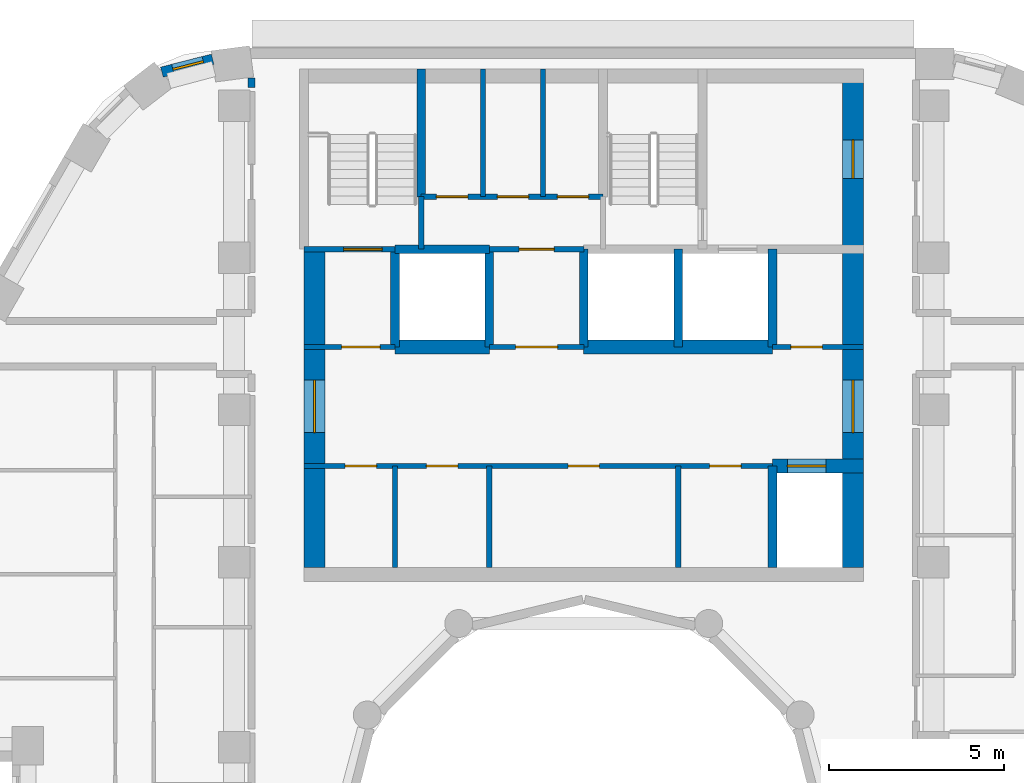
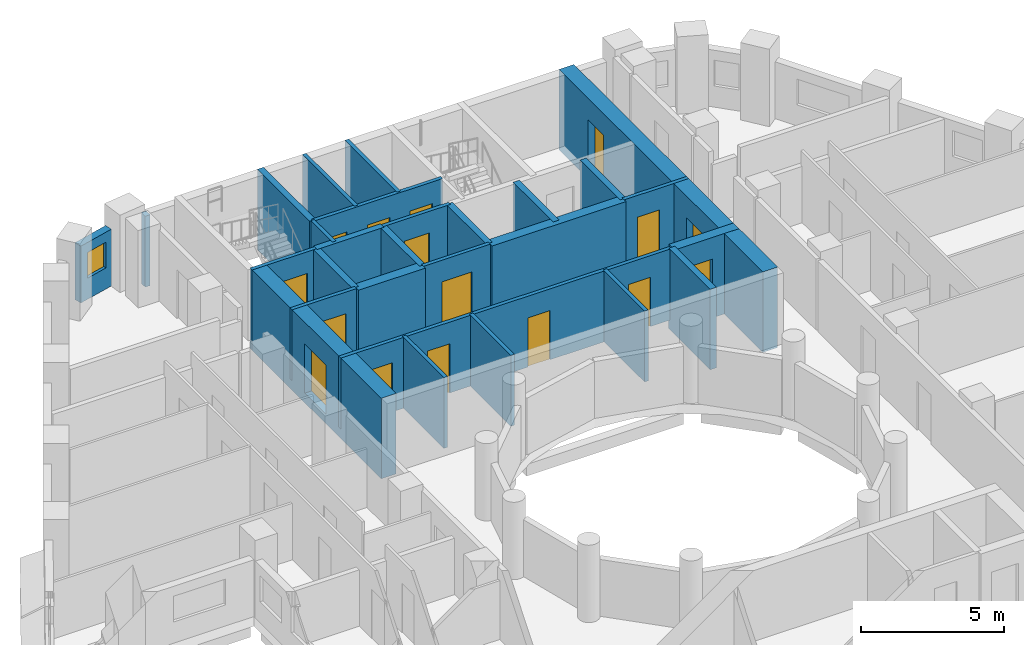
# One storey, part 7 of 16: 28 walls, 16 doors, 1 window, 17 openings.
"""IFC4 building model written with IfcOpenShell, lengths in metres."""

from ifc_helpers import new_model, si_unit, direction, frame, frame_2d, origin, place, context, subcontext, project, spatial, rectangle, extrude, material, layer, layer_set, type_object, element, fill, save


model = new_model("IFC4")

# Units and contexts
model_context = context("Model", 3, precision=1e-05, world=origin(), true_north=direction((0.0, 1.0)))
body_context = subcontext(model_context, "Body", "Model", "MODEL_VIEW")
ifc_project = project(units=[si_unit("LENGTHUNIT", "METRE"), si_unit("AREAUNIT", "SQUARE_METRE"), si_unit("VOLUMEUNIT", "CUBIC_METRE"), si_unit("PLANEANGLEUNIT", "RADIAN"), si_unit("MASSUNIT", "GRAM", prefix="KILO")], contexts=[model_context])

# Site, building, storey
site_placement = place(None, origin())
site = spatial("IfcSite", under=ifc_project, at=site_placement, CompositionType="ELEMENT")
building_placement = place(site_placement, origin())
building = spatial("IfcBuilding", under=site, at=building_placement, Name="Nakaniwa Court", CompositionType="ELEMENT")
storey_placement = place(building_placement, frame((0.0, 0.0, 226.199951171875)))
storey = spatial("IfcBuildingStorey", under=building, at=storey_placement, Name="L58", CompositionType="ELEMENT", Elevation=226.199951171875)

# Wall
ifc_material_1 = material(Name="Acoustic double stud partition")
ifc_layer_1 = layer(ifc_material_1, 0.199951171875)
ifc_layer_set_1 = layer_set([ifc_layer_1], Name="Acoustic double stud partition")
wall_type_1 = type_object("IfcWallType", Name="Acoustic double stud partition 200", PredefinedType="PARTITIONING", material=ifc_layer_set_1)
wall_1_placement = place(storey_placement, frame((70.5, 101.527099609375, 0.0), z_axis=(0.0, 0.0, 1.0), x_axis=(0.0, 1.0, 0.0)))
element("IfcWall", 1, at=wall_1_placement, inside=storey, type_object=wall_type_1, Name="Partition PW-097", PredefinedType="PARTITIONING", context=body_context, shape_type="SweptSolid", body=[
    extrude(rectangle(XDim=0.273681640625, YDim=0.199951171875, at=frame_2d((0.13671875, 0.0))), origin(), (0.0, 0.0, 1.0), 3.025146484375),
])

# Wall, opening, window
ifc_material_2 = material(Name="Charcoal ceramic cladding")
ifc_layer_2 = layer(ifc_material_2, 0.02, Name="Ceramic cladding")
ifc_material_3 = material(Name="Ventilated air cavity")
ifc_layer_3 = layer(ifc_material_3, 0.04, ventilated=True, Name="Ventilated cavity")
ifc_material_4 = material(Name="Mineral wool insulation")
ifc_layer_4 = layer(ifc_material_4, 0.1, Name="Insulation")
ifc_material_5 = material(Name="Cement bonded sheathing board")
ifc_layer_5 = layer(ifc_material_5, 0.012, Name="Sheathing")
ifc_material_6 = material(Name="Cold-formed galvanised stud frame with mineral wool infill")
ifc_layer_6 = layer(ifc_material_6, 0.1, Name="Stud frame")
ifc_material_7 = material(Name="Fire-rated gypsum plasterboard lining")
ifc_layer_7 = layer(ifc_material_7, 0.028, Name="Lining")
ifc_layer_set_2 = layer_set([ifc_layer_2, ifc_layer_3, ifc_layer_4, ifc_layer_5, ifc_layer_6, ifc_layer_7], Name="Charcoal ceramic faced external wall system")
wall_type_2 = type_object("IfcWallType", Name="Black ceramic faced external wall 300", PredefinedType="SOLIDWALL", material=ifc_layer_set_2)
wall_2_placement = place(storey_placement, frame((69.386474609375, 102.333251953125, 0.0), z_axis=(0.0, 0.0, 1.0), x_axis=(-0.968895303033, -0.247470991757, 0.0)))
wall_2 = element("IfcWall", 2, at=wall_2_placement, inside=storey, type_object=wall_type_2, Name="L58 external wall 09", PredefinedType="SOLIDWALL", context=body_context, shape_type="SweptSolid", body=[
    extrude(rectangle(XDim=1.50048828125, YDim=0.300048828125, at=frame_2d((0.750244140625, 0.0))), origin(), (0.0, 0.0, 1.0), 2.425048828125),
])
opening_1_placement = place(wall_2_placement, frame((0.27587890625, 0.0, 0.89990234375)))
opening_1 = element("IfcOpeningElement", 3, at=opening_1_placement, cuts=wall_2, Name="Opening W9.06", PredefinedType="OPENING", context=body_context, shape_type="SweptSolid", body=[
    extrude(rectangle(XDim=0.89990234375, YDim=1.10009765625, at=frame_2d((0.449951171875, 0.550048828125))), frame((0.0, 0.159912109375, 0.0), z_axis=(0.0, -1.0, 0.0), x_axis=(1.0, 0.0, 0.0)), (0.0, 0.0, 1.0), 0.320068359375),
])
ifc_material_8 = material(Name="Black anodised aluminium frame with dark low-E laminated double glazing", Category="aluminium")
window_type = type_object("IfcWindowType", Name="Dark glass window 900x1100 sill 900", PartitioningType="SINGLE_PANEL", PredefinedType="WINDOW", material=ifc_material_8)
window_placement = place(opening_1_placement, origin())
window = element("IfcWindow", 4, at=window_placement, inside=storey, type_object=window_type, Name="L58 habitable room window 09-0", OverallHeight=1.10009765625, OverallWidth=0.89990234375, PartitioningType="SINGLE_PANEL", PredefinedType="WINDOW", context=body_context, shape_type="SweptSolid", body=[
    extrude(rectangle(XDim=0.89990234375, YDim=1.10009765625, at=frame_2d((0.449951171875, 0.550048828125))), frame((0.0, 0.030029296875, 0.0), z_axis=(0.0, -1.0, 0.0), x_axis=(1.0, 0.0, 0.0)), (0.0, 0.0, 1.0), 0.06005859375),
])
fill(opening_1, window)

# Wall
ifc_material_9 = material(Name="Blockwork partition", Category="masonry")
ifc_layer_8 = layer(ifc_material_9, 0.14990234375)
ifc_layer_set_3 = layer_set([ifc_layer_8], Name="Blockwork partition")
wall_type_3 = type_object("IfcWallType", Name="Blockwork partition 150", PredefinedType="PARTITIONING", material=ifc_layer_set_3)
wall_3_placement = place(storey_placement, frame((74.60009765625, 87.800048828125, 0.0), z_axis=(0.0, 0.0, 1.0), x_axis=(0.0, 1.0, 0.0)))
element("IfcWall", 5, at=wall_3_placement, inside=storey, type_object=wall_type_3, Name="Partition PW-001", PredefinedType="PARTITIONING", context=body_context, shape_type="SweptSolid", body=[
    extrude(rectangle(XDim=2.89990234375, YDim=0.14990234375, at=frame_2d((1.449951171875, 0.0))), origin(), (0.0, 0.0, 1.0), 3.025146484375),
])

# Wall, openings, doors
wall_4_placement = place(storey_placement, frame((85.39990234375, 90.699951171875, 0.0), z_axis=(0.0, 0.0, 1.0), x_axis=(-1.0, 0.0, 0.0)))
wall_4 = element("IfcWall", 6, at=wall_4_placement, inside=storey, type_object=wall_type_3, Name="Partition PW-002", PredefinedType="PARTITIONING", context=body_context, shape_type="SweptSolid", body=[
    extrude(rectangle(XDim=13.39990234375, YDim=0.14990234375, at=frame_2d((6.699951171875, 0.0))), origin(), (0.0, 0.0, 1.0), 3.025146484375),
])
opening_2_placement = place(wall_4_placement, frame((11.324951171875, 0.0, 0.0)))
opening_2 = element("IfcOpeningElement", 7, at=opening_2_placement, cuts=wall_4, Name="Opening D-05-01", PredefinedType="OPENING", context=body_context, shape_type="SweptSolid", body=[
    extrude(rectangle(XDim=0.89990234375, YDim=2.10009765625, at=frame_2d((0.449951171875, 1.050048828125))), frame((0.0, 0.0849609375, 0.0), z_axis=(0.0, -1.0, 0.0), x_axis=(1.0, 0.0, 0.0)), (0.0, 0.0, 1.0), 0.169921875),
])
opening_3_placement = place(wall_4_placement, frame((9.0, 0.0, 0.0)))
opening_3 = element("IfcOpeningElement", 8, at=opening_3_placement, cuts=wall_4, Name="Opening D-05-02", PredefinedType="OPENING", context=body_context, shape_type="SweptSolid", body=[
    extrude(rectangle(XDim=0.89990234375, YDim=2.10009765625, at=frame_2d((0.449951171875, 1.050048828125))), frame((0.0, 0.0849609375, 0.0), z_axis=(0.0, -1.0, 0.0), x_axis=(1.0, 0.0, 0.0)), (0.0, 0.0, 1.0), 0.169921875),
])
opening_4_placement = place(wall_4_placement, frame((4.949951171875, 0.0, 0.0)))
opening_4 = element("IfcOpeningElement", 9, at=opening_4_placement, cuts=wall_4, Name="Opening D-05-03", PredefinedType="OPENING", context=body_context, shape_type="SweptSolid", body=[
    extrude(rectangle(XDim=0.89990234375, YDim=2.10009765625, at=frame_2d((0.449951171875, 1.050048828125))), frame((0.0, 0.0849609375, 0.0), z_axis=(0.0, -1.0, 0.0), x_axis=(1.0, 0.0, 0.0)), (0.0, 0.0, 1.0), 0.169921875),
])
opening_5_placement = place(wall_4_placement, frame((0.89990234375, 0.0, 0.0)))
opening_5 = element("IfcOpeningElement", 10, at=opening_5_placement, cuts=wall_4, Name="Opening D-05-04", PredefinedType="OPENING", context=body_context, shape_type="SweptSolid", body=[
    extrude(rectangle(XDim=0.89990234375, YDim=2.10009765625, at=frame_2d((0.449951171875, 1.050048828125))), frame((0.0, 0.0849609375, 0.0), z_axis=(0.0, -1.0, 0.0), x_axis=(1.0, 0.0, 0.0)), (0.0, 0.0, 1.0), 0.169921875),
])
ifc_material_10 = material(Name="Fire rated steel door set", Category="steel")
door_type_1 = type_object("IfcDoorType", Name="Service room door 900", OperationType="NOTDEFINED", PredefinedType="DOOR", material=ifc_material_10)
door_1_placement = place(opening_2_placement, origin())
door_1 = element("IfcDoor", 11, at=door_1_placement, inside=storey, type_object=door_type_1, Name="Door D-05-01 L58-001", OperationType="SINGLE_SWING_RIGHT", OverallHeight=2.10009765625, OverallWidth=0.89990234375, PredefinedType="DOOR", context=body_context, shape_type="SweptSolid", body=[
    extrude(rectangle(XDim=0.89990234375, YDim=2.10009765625, at=frame_2d((0.449951171875, 1.050048828125))), frame((0.0, 0.02490234375, 0.0), z_axis=(0.0, -1.0, 0.0), x_axis=(1.0, 0.0, 0.0)), (0.0, 0.0, 1.0), 0.050048828125),
])
fill(opening_2, door_1)
door_2_placement = place(opening_3_placement, origin())
door_2 = element("IfcDoor", 12, at=door_2_placement, inside=storey, type_object=door_type_1, Name="Door D-05-02 L58-002", OperationType="SINGLE_SWING_LEFT", OverallHeight=2.10009765625, OverallWidth=0.89990234375, PredefinedType="DOOR", context=body_context, shape_type="SweptSolid", body=[
    extrude(rectangle(XDim=0.89990234375, YDim=2.10009765625, at=frame_2d((0.449951171875, 1.050048828125))), frame((0.0, 0.02490234375, 0.0), z_axis=(0.0, -1.0, 0.0), x_axis=(1.0, 0.0, 0.0)), (0.0, 0.0, 1.0), 0.050048828125),
])
fill(opening_3, door_2)
door_3_placement = place(opening_4_placement, origin())
door_3 = element("IfcDoor", 13, at=door_3_placement, inside=storey, type_object=door_type_1, Name="Door D-05-03 L58-003", OperationType="SINGLE_SWING_RIGHT", OverallHeight=2.10009765625, OverallWidth=0.89990234375, PredefinedType="DOOR", context=body_context, shape_type="SweptSolid", body=[
    extrude(rectangle(XDim=0.89990234375, YDim=2.10009765625, at=frame_2d((0.449951171875, 1.050048828125))), frame((0.0, 0.02490234375, 0.0), z_axis=(0.0, -1.0, 0.0), x_axis=(1.0, 0.0, 0.0)), (0.0, 0.0, 1.0), 0.050048828125),
])
fill(opening_4, door_3)
door_4_placement = place(opening_5_placement, origin())
door_4 = element("IfcDoor", 14, at=door_4_placement, inside=storey, type_object=door_type_1, Name="Door D-05-04 L58-004", OperationType="SINGLE_SWING_LEFT", OverallHeight=2.10009765625, OverallWidth=0.89990234375, PredefinedType="DOOR", context=body_context, shape_type="SweptSolid", body=[
    extrude(rectangle(XDim=0.89990234375, YDim=2.10009765625, at=frame_2d((0.449951171875, 1.050048828125))), frame((0.0, 0.02490234375, 0.0), z_axis=(0.0, -1.0, 0.0), x_axis=(1.0, 0.0, 0.0)), (0.0, 0.0, 1.0), 0.050048828125),
])
fill(opening_5, door_4)

# Walls
for number, where, z_axis, x_axis, name in (
    (15, (77.300048828125, 87.800048828125, 0.0), (0.0, 0.0, 1.0), (0.0, 1.0, 0.0), "Partition PW-008"),
    (16, (82.699951171875, 87.800048828125, 0.0), (0.0, 0.0, 1.0), (0.0, 1.0, 0.0), "Partition PW-009"),
):
    element("IfcWall", number, at=place(storey_placement, frame(where, z_axis=z_axis, x_axis=x_axis)), inside=storey, type_object=wall_type_3, Name=name, PredefinedType="PARTITIONING", context=body_context, shape_type="SweptSolid", body=[
        extrude(rectangle(XDim=2.89990234375, YDim=0.14990234375, at=frame_2d((1.449951171875, 0.0))), origin(), (0.0, 0.0, 1.0), 3.025146484375),
    ])

# Wall, opening, door
wall_5_placement = place(storey_placement, frame((72.0, 94.10009765625, 0.0), z_axis=(0.0, 0.0, 1.0), x_axis=(1.0, 0.0, 0.0)))
wall_5 = element("IfcWall", 17, at=wall_5_placement, inside=storey, type_object=wall_type_3, Name="Partition PW-010", PredefinedType="PARTITIONING", context=body_context, shape_type="SweptSolid", body=[
    extrude(rectangle(XDim=2.60302734375, YDim=0.14990234375, at=frame_2d((1.301513671875, 0.0))), origin(), (0.0, 0.0, 1.0), 3.025146484375),
])
opening_6_placement = place(wall_5_placement, frame((1.074951171875, 0.0, 0.0)))
opening_6 = element("IfcOpeningElement", 18, at=opening_6_placement, cuts=wall_5, Name="Opening D-08-01", PredefinedType="OPENING", context=body_context, shape_type="SweptSolid", body=[
    extrude(rectangle(XDim=1.10009765625, YDim=2.10009765625, at=frame_2d((0.550048828125, 1.050048828125))), frame((0.0, 0.0849609375, 0.0), z_axis=(0.0, -1.0, 0.0), x_axis=(1.0, 0.0, 0.0)), (0.0, 0.0, 1.0), 0.169921875),
])
door_type_2 = type_object("IfcDoorType", Name="Stair lobby door 1100", OperationType="NOTDEFINED", PredefinedType="DOOR", material=ifc_material_10)
door_5_placement = place(opening_6_placement, origin())
door_5 = element("IfcDoor", 19, at=door_5_placement, inside=storey, type_object=door_type_2, Name="Door D-08-01 L58-005", OperationType="SINGLE_SWING_RIGHT", OverallHeight=2.10009765625, OverallWidth=1.10009765625, PredefinedType="DOOR", context=body_context, shape_type="SweptSolid", body=[
    extrude(rectangle(XDim=1.10009765625, YDim=2.10009765625, at=frame_2d((0.550048828125, 1.050048828125))), frame((0.0, 0.02490234375, 0.0), z_axis=(0.0, -1.0, 0.0), x_axis=(1.0, 0.0, 0.0)), (0.0, 0.0, 1.0), 0.050048828125),
])
fill(opening_6, door_5)

wall_6_placement = place(storey_placement, frame((77.297119140625, 94.10009765625, 0.0), z_axis=(0.0, 0.0, 1.0), x_axis=(1.0, 0.0, 0.0)))
wall_6 = element("IfcWall", 20, at=wall_6_placement, inside=storey, type_object=wall_type_3, Name="Partition PW-011", PredefinedType="PARTITIONING", context=body_context, shape_type="SweptSolid", body=[
    extrude(rectangle(XDim=2.705810546875, YDim=0.14990234375, at=frame_2d((1.35302734375, 0.0))), origin(), (0.0, 0.0, 1.0), 3.025146484375),
])
opening_7_placement = place(wall_6_placement, frame((0.7529296875, 0.0, 0.0)))
opening_7 = element("IfcOpeningElement", 21, at=opening_7_placement, cuts=wall_6, Name="Opening D-06-01", PredefinedType="OPENING", context=body_context, shape_type="SweptSolid", body=[
    extrude(rectangle(XDim=1.199951171875, YDim=2.10009765625, at=frame_2d((0.60009765625, 1.050048828125))), frame((0.0, 0.0849609375, 0.0), z_axis=(0.0, -1.0, 0.0), x_axis=(1.0, 0.0, 0.0)), (0.0, 0.0, 1.0), 0.169921875),
])
ifc_material_11 = material(Name="Fire rated steel double door set", Category="steel")
door_type_3 = type_object("IfcDoorType", Name="Service passage double door 1200", OperationType="NOTDEFINED", PredefinedType="DOOR", material=ifc_material_11)
door_6_placement = place(opening_7_placement, origin())
door_6 = element("IfcDoor", 22, at=door_6_placement, inside=storey, type_object=door_type_3, Name="Door D-06-01 L58-006", OperationType="DOUBLE_DOOR_SINGLE_SWING", OverallHeight=2.10009765625, OverallWidth=1.199951171875, PredefinedType="DOOR", context=body_context, shape_type="SweptSolid", body=[
    extrude(rectangle(XDim=1.199951171875, YDim=2.10009765625, at=frame_2d((0.60009765625, 1.050048828125))), frame((0.0, 0.02490234375, 0.0), z_axis=(0.0, -1.0, 0.0), x_axis=(1.0, 0.0, 0.0)), (0.0, 0.0, 1.0), 0.050048828125),
])
fill(opening_7, door_6)

wall_7_placement = place(storey_placement, frame((85.39697265625, 94.10009765625, 0.0), z_axis=(0.0, 0.0, 1.0), x_axis=(1.0, 0.0, 0.0)))
wall_7 = element("IfcWall", 23, at=wall_7_placement, inside=storey, type_object=wall_type_3, Name="Partition PW-012", PredefinedType="PARTITIONING", context=body_context, shape_type="SweptSolid", body=[
    extrude(rectangle(XDim=2.60302734375, YDim=0.14990234375, at=frame_2d((1.301513671875, 0.0))), origin(), (0.0, 0.0, 1.0), 3.025146484375),
])
opening_8_placement = place(wall_7_placement, frame((0.528076171875, 0.0, 0.0)))
opening_8 = element("IfcOpeningElement", 24, at=opening_8_placement, cuts=wall_7, Name="Opening D-05-05", PredefinedType="OPENING", context=body_context, shape_type="SweptSolid", body=[
    extrude(rectangle(XDim=0.89990234375, YDim=2.10009765625, at=frame_2d((0.449951171875, 1.050048828125))), frame((0.0, 0.0849609375, 0.0), z_axis=(0.0, -1.0, 0.0), x_axis=(1.0, 0.0, 0.0)), (0.0, 0.0, 1.0), 0.169921875),
])
door_7_placement = place(opening_8_placement, origin())
door_7 = element("IfcDoor", 25, at=door_7_placement, inside=storey, type_object=door_type_1, Name="Door D-05-05 L58-007", OperationType="SINGLE_SWING_RIGHT", OverallHeight=2.10009765625, OverallWidth=0.89990234375, PredefinedType="DOOR", context=body_context, shape_type="SweptSolid", body=[
    extrude(rectangle(XDim=0.89990234375, YDim=2.10009765625, at=frame_2d((0.449951171875, 1.050048828125))), frame((0.0, 0.02490234375, 0.0), z_axis=(0.0, -1.0, 0.0), x_axis=(1.0, 0.0, 0.0)), (0.0, 0.0, 1.0), 0.050048828125),
])
fill(opening_8, door_7)

wall_8_placement = place(storey_placement, frame((77.300048828125, 96.89990234375, 0.0), z_axis=(0.0, 0.0, 1.0), x_axis=(1.0, 0.0, 0.0)))
wall_8 = element("IfcWall", 26, at=wall_8_placement, inside=storey, type_object=wall_type_3, Name="Partition PW-021", PredefinedType="PARTITIONING", context=body_context, shape_type="SweptSolid", body=[
    extrude(rectangle(XDim=2.699951171875, YDim=0.14990234375, at=frame_2d((1.35009765625, 0.0))), origin(), (0.0, 0.0, 1.0), 3.025146484375),
])
opening_9_placement = place(wall_8_placement, frame((0.85009765625, 0.0, 0.0)))
opening_9 = element("IfcOpeningElement", 27, at=opening_9_placement, cuts=wall_8, Name="Opening D-23-01", PredefinedType="OPENING", context=body_context, shape_type="SweptSolid", body=[
    extrude(rectangle(XDim=1.0, YDim=2.10009765625, at=frame_2d((0.5, 1.050048828125))), frame((0.0, 0.0849609375, 0.0), z_axis=(0.0, -1.0, 0.0), x_axis=(1.0, 0.0, 0.0)), (0.0, 0.0, 1.0), 0.169921875),
])
door_type_4 = type_object("IfcDoorType", Name="Service room door 1000", OperationType="NOTDEFINED", PredefinedType="DOOR", material=ifc_material_10)
door_8_placement = place(opening_9_placement, origin())
door_8 = element("IfcDoor", 28, at=door_8_placement, inside=storey, type_object=door_type_4, Name="Door D-23-01 L58-008", OperationType="SINGLE_SWING_LEFT", OverallHeight=2.10009765625, OverallWidth=1.0, PredefinedType="DOOR", context=body_context, shape_type="SweptSolid", body=[
    extrude(rectangle(XDim=1.0, YDim=2.10009765625, at=frame_2d((0.5, 1.050048828125))), frame((0.0, 0.02490234375, 0.0), z_axis=(0.0, -1.0, 0.0), x_axis=(1.0, 0.0, 0.0)), (0.0, 0.0, 1.0), 0.050048828125),
])
fill(opening_9, door_8)

# Wall, openings, doors
wall_9_placement = place(storey_placement, frame((75.35009765625, 98.39990234375, 0.0), z_axis=(0.0, 0.0, 1.0), x_axis=(1.0, 0.0, 0.0)))
wall_9 = element("IfcWall", 29, at=wall_9_placement, inside=storey, type_object=wall_type_3, Name="Partition PW-029", PredefinedType="PARTITIONING", context=body_context, shape_type="SweptSolid", body=[
    extrude(rectangle(XDim=5.199951171875, YDim=0.14990234375, at=frame_2d((2.60009765625, 0.0))), origin(), (0.0, 0.0, 1.0), 3.025146484375),
])
opening_10_placement = place(wall_9_placement, frame((0.43408203125, 0.0, 0.0)))
opening_10 = element("IfcOpeningElement", 30, at=opening_10_placement, cuts=wall_9, Name="Opening D-05-06", PredefinedType="OPENING", context=body_context, shape_type="SweptSolid", body=[
    extrude(rectangle(XDim=0.89990234375, YDim=2.10009765625, at=frame_2d((0.449951171875, 1.050048828125))), frame((0.0, 0.0849609375, 0.0), z_axis=(0.0, -1.0, 0.0), x_axis=(1.0, 0.0, 0.0)), (0.0, 0.0, 1.0), 0.169921875),
])
opening_11_placement = place(wall_9_placement, frame((2.176025390625, 0.0, 0.0)))
opening_11 = element("IfcOpeningElement", 31, at=opening_11_placement, cuts=wall_9, Name="Opening D-05-07", PredefinedType="OPENING", context=body_context, shape_type="SweptSolid", body=[
    extrude(rectangle(XDim=0.89990234375, YDim=2.10009765625, at=frame_2d((0.449951171875, 1.050048828125))), frame((0.0, 0.0849609375, 0.0), z_axis=(0.0, -1.0, 0.0), x_axis=(1.0, 0.0, 0.0)), (0.0, 0.0, 1.0), 0.169921875),
])
opening_12_placement = place(wall_9_placement, frame((3.89208984375, 0.0, 0.0)))
opening_12 = element("IfcOpeningElement", 32, at=opening_12_placement, cuts=wall_9, Name="Opening D-05-08", PredefinedType="OPENING", context=body_context, shape_type="SweptSolid", body=[
    extrude(rectangle(XDim=0.89990234375, YDim=2.10009765625, at=frame_2d((0.449951171875, 1.050048828125))), frame((0.0, 0.0849609375, 0.0), z_axis=(0.0, -1.0, 0.0), x_axis=(1.0, 0.0, 0.0)), (0.0, 0.0, 1.0), 0.169921875),
])
door_9_placement = place(opening_10_placement, origin())
door_9 = element("IfcDoor", 33, at=door_9_placement, inside=storey, type_object=door_type_1, Name="Door D-05-06 L58-009", OperationType="SINGLE_SWING_RIGHT", OverallHeight=2.10009765625, OverallWidth=0.89990234375, PredefinedType="DOOR", context=body_context, shape_type="SweptSolid", body=[
    extrude(rectangle(XDim=0.89990234375, YDim=2.10009765625, at=frame_2d((0.449951171875, 1.050048828125))), frame((0.0, 0.02490234375, 0.0), z_axis=(0.0, -1.0, 0.0), x_axis=(1.0, 0.0, 0.0)), (0.0, 0.0, 1.0), 0.050048828125),
])
fill(opening_10, door_9)
door_10_placement = place(opening_11_placement, origin())
door_10 = element("IfcDoor", 34, at=door_10_placement, inside=storey, type_object=door_type_1, Name="Door D-05-07 L58-010", OperationType="SINGLE_SWING_LEFT", OverallHeight=2.10009765625, OverallWidth=0.89990234375, PredefinedType="DOOR", context=body_context, shape_type="SweptSolid", body=[
    extrude(rectangle(XDim=0.89990234375, YDim=2.10009765625, at=frame_2d((0.449951171875, 1.050048828125))), frame((0.0, 0.02490234375, 0.0), z_axis=(0.0, -1.0, 0.0), x_axis=(1.0, 0.0, 0.0)), (0.0, 0.0, 1.0), 0.050048828125),
])
fill(opening_11, door_10)
door_11_placement = place(opening_12_placement, origin())
door_11 = element("IfcDoor", 35, at=door_11_placement, inside=storey, type_object=door_type_1, Name="Door D-05-08 L58-011", OperationType="SINGLE_SWING_RIGHT", OverallHeight=2.10009765625, OverallWidth=0.89990234375, PredefinedType="DOOR", context=body_context, shape_type="SweptSolid", body=[
    extrude(rectangle(XDim=0.89990234375, YDim=2.10009765625, at=frame_2d((0.449951171875, 1.050048828125))), frame((0.0, 0.02490234375, 0.0), z_axis=(0.0, -1.0, 0.0), x_axis=(1.0, 0.0, 0.0)), (0.0, 0.0, 1.0), 0.050048828125),
])
fill(opening_12, door_11)

# Walls
for number, where, z_axis, x_axis, name in (
    (36, (77.117919921875, 98.39990234375, 0.0), (0.0, 0.0, 1.0), (0.0, 1.0, 0.0), "Partition PW-030"),
    (37, (78.833984375, 98.39990234375, 0.0), (0.0, 0.0, 1.0), (0.0, 1.0, 0.0), "Partition PW-031"),
):
    element("IfcWall", number, at=place(storey_placement, frame(where, z_axis=z_axis, x_axis=x_axis)), inside=storey, type_object=wall_type_3, Name=name, PredefinedType="PARTITIONING", context=body_context, shape_type="SweptSolid", body=[
        extrude(rectangle(XDim=3.650146484375, YDim=0.14990234375, at=frame_2d((1.8251953125, 0.0))), origin(), (0.0, 0.0, 1.0), 3.025146484375),
    ])

# Wall, opening, door
ifc_material_12 = material(Name="Concrete C80/100", Category="concrete")
ifc_layer_9 = layer(ifc_material_12, 0.60009765625)
ifc_layer_set_4 = layer_set([ifc_layer_9], Name="Concrete C80/100")
wall_type_4 = type_object("IfcWallType", Name="Concrete core side wall 600 C80", PredefinedType="SHEAR", material=ifc_layer_set_4)
wall_10_placement = place(storey_placement, frame((72.300048828125, 87.800048828125, -0.409912109375), z_axis=(0.0, 0.0, 1.0), x_axis=(0.0, 1.0, 0.0)))
wall_10 = element("IfcWall", 38, at=wall_10_placement, inside=storey, type_object=wall_type_4, Name="Core wall SW-03", PredefinedType="SHEAR", context=body_context, shape_type="SweptSolid", body=[
    extrude(rectangle(XDim=9.099853515625, YDim=0.60009765625, at=frame_2d((4.5498046875, 0.0))), origin(), (0.0, 0.0, 1.0), 3.43505859375),
])
opening_13_placement = place(wall_10_placement, frame((3.85009765625, 0.0, 0.409912109375)))
opening_13 = element("IfcOpeningElement", 39, at=opening_13_placement, cuts=wall_10, Name="Opening D-07-02", PredefinedType="OPENING", context=body_context, shape_type="SweptSolid", body=[
    extrude(rectangle(XDim=1.5, YDim=2.10009765625, at=frame_2d((0.75, 1.050048828125))), frame((0.0, 0.31005859375, 0.0), z_axis=(0.0, -1.0, 0.0), x_axis=(1.0, 0.0, 0.0)), (0.0, 0.0, 1.0), 0.6201171875),
])
ifc_material_13 = material(Name="Glazed fire rated steel double door set", Category="steel")
door_type_5 = type_object("IfcDoorType", Name="Lobby double door 1500", OperationType="NOTDEFINED", PredefinedType="DOOR", material=ifc_material_13)
door_12_placement = place(opening_13_placement, origin())
door_12 = element("IfcDoor", 40, at=door_12_placement, inside=storey, type_object=door_type_5, Name="Door D-07-02 L58-061", OperationType="DOUBLE_DOOR_SINGLE_SWING", OverallHeight=2.10009765625, OverallWidth=1.5, PredefinedType="DOOR", context=body_context, shape_type="SweptSolid", body=[
    extrude(rectangle(XDim=1.5, YDim=2.10009765625, at=frame_2d((0.75, 1.050048828125))), frame((0.0, 0.02490234375, 0.0), z_axis=(0.0, -1.0, 0.0), x_axis=(1.0, 0.0, 0.0)), (0.0, 0.0, 1.0), 0.050048828125),
])
fill(opening_13, door_12)

# Wall, openings, doors
wall_11_placement = place(storey_placement, frame((87.699951171875, 102.050048828125, -0.409912109375), z_axis=(0.0, 0.0, 1.0), x_axis=(0.0, -1.0, 0.0)))
wall_11 = element("IfcWall", 41, at=wall_11_placement, inside=storey, type_object=wall_type_4, Name="Core wall SW-07", PredefinedType="SHEAR", context=body_context, shape_type="SweptSolid", body=[
    extrude(rectangle(XDim=14.25, YDim=0.60009765625, at=frame_2d((7.125, 0.0))), origin(), (0.0, 0.0, 1.0), 3.43505859375),
])
opening_14_placement = place(wall_11_placement, frame((8.89990234375, 0.0, 0.409912109375)))
opening_14 = element("IfcOpeningElement", 42, at=opening_14_placement, cuts=wall_11, Name="Opening D-07-01", PredefinedType="OPENING", context=body_context, shape_type="SweptSolid", body=[
    extrude(rectangle(XDim=1.5, YDim=2.10009765625, at=frame_2d((0.75, 1.050048828125))), frame((0.0, 0.31005859375, 0.0), z_axis=(0.0, -1.0, 0.0), x_axis=(1.0, 0.0, 0.0)), (0.0, 0.0, 1.0), 0.6201171875),
])
opening_15_placement = place(wall_11_placement, frame((2.02490234375, 0.0, 0.409912109375)))
opening_15 = element("IfcOpeningElement", 43, at=opening_15_placement, cuts=wall_11, Name="Opening D-10-01", PredefinedType="OPENING", context=body_context, shape_type="SweptSolid", body=[
    extrude(rectangle(XDim=1.10009765625, YDim=2.10009765625, at=frame_2d((0.550048828125, 1.050048828125))), frame((0.0, 0.31005859375, 0.0), z_axis=(0.0, -1.0, 0.0), x_axis=(1.0, 0.0, 0.0)), (0.0, 0.0, 1.0), 0.6201171875),
])
door_type_6 = type_object("IfcDoorType", Name="Firefighting lobby door 1100", OperationType="NOTDEFINED", PredefinedType="DOOR", material=ifc_material_10)
door_13_placement = place(opening_15_placement, origin())
door_13 = element("IfcDoor", 44, at=door_13_placement, inside=storey, type_object=door_type_6, Name="Door D-10-01 L58-062", OperationType="SINGLE_SWING_LEFT", OverallHeight=2.10009765625, OverallWidth=1.10009765625, PredefinedType="DOOR", context=body_context, shape_type="SweptSolid", body=[
    extrude(rectangle(XDim=1.10009765625, YDim=2.10009765625, at=frame_2d((0.550048828125, 1.050048828125))), frame((0.0, 0.02490234375, 0.0), z_axis=(0.0, -1.0, 0.0), x_axis=(1.0, 0.0, 0.0)), (0.0, 0.0, 1.0), 0.050048828125),
])
fill(opening_15, door_13)
door_14_placement = place(opening_14_placement, origin())
door_14 = element("IfcDoor", 45, at=door_14_placement, inside=storey, type_object=door_type_5, Name="Door D-07-01 L58-060", OperationType="DOUBLE_DOOR_SINGLE_SWING", OverallHeight=2.10009765625, OverallWidth=1.5, PredefinedType="DOOR", context=body_context, shape_type="SweptSolid", body=[
    extrude(rectangle(XDim=1.5, YDim=2.10009765625, at=frame_2d((0.75, 1.050048828125))), frame((0.0, 0.02490234375, 0.0), z_axis=(0.0, -1.0, 0.0), x_axis=(1.0, 0.0, 0.0)), (0.0, 0.0, 1.0), 0.050048828125),
])
fill(opening_14, door_14)

# Wall, opening, door
ifc_layer_10 = layer(ifc_material_12, 0.39990234375)
ifc_layer_set_5 = layer_set([ifc_layer_10], Name="Concrete C80/100")
wall_type_5 = type_object("IfcWallType", Name="Concrete core spine wall 400 C80", PredefinedType="SHEAR", material=ifc_layer_set_5)
wall_12_placement = place(storey_placement, frame((85.39990234375, 90.699951171875, -0.409912109375), z_axis=(0.0, 0.0, 1.0), x_axis=(1.0, 0.0, 0.0)))
wall_12 = element("IfcWall", 46, at=wall_12_placement, inside=storey, type_object=wall_type_5, Name="Core wall SW-06", PredefinedType="SHEAR", context=body_context, shape_type="SweptSolid", body=[
    extrude(rectangle(XDim=2.60009765625, YDim=0.39990234375, at=frame_2d((1.300048828125, 0.0))), origin(), (0.0, 0.0, 1.0), 3.43505859375),
])
opening_16_placement = place(wall_12_placement, frame((0.425048828125, 0.0, 0.409912109375)))
opening_16 = element("IfcOpeningElement", 47, at=opening_16_placement, cuts=wall_12, Name="Opening LD01", PredefinedType="OPENING", context=body_context, shape_type="SweptSolid", body=[
    extrude(rectangle(XDim=1.10009765625, YDim=2.10009765625, at=frame_2d((0.550048828125, 1.050048828125))), frame((0.0, 0.2099609375, 0.0), z_axis=(0.0, -1.0, 0.0), x_axis=(1.0, 0.0, 0.0)), (0.0, 0.0, 1.0), 0.419921875),
])
ifc_material_14 = material(Name="Stainless steel sliding lift landing door", Category="steel")
door_type_7 = type_object("IfcDoorType", Name="Lift landing door 1100", OperationType="NOTDEFINED", PredefinedType="DOOR", material=ifc_material_14)
door_15_placement = place(opening_16_placement, origin())
door_15 = element("IfcDoor", 48, at=door_15_placement, inside=storey, type_object=door_type_7, Name="Lift landing door LD01 L58-001", OperationType="SLIDING_TO_LEFT", OverallHeight=2.10009765625, OverallWidth=1.10009765625, PredefinedType="DOOR", context=body_context, shape_type="SweptSolid", body=[
    extrude(rectangle(XDim=1.10009765625, YDim=2.10009765625, at=frame_2d((0.550048828125, 1.050048828125))), frame((0.0, 0.02490234375, 0.0), z_axis=(0.0, -1.0, 0.0), x_axis=(1.0, 0.0, 0.0)), (0.0, 0.0, 1.0), 0.050048828125),
])
fill(opening_16, door_15)

# Walls
wall_13_placement = place(storey_placement, frame((74.596923828125, 94.10009765625, -0.409912109375), z_axis=(0.0, 0.0, 1.0), x_axis=(1.0, 0.0, 0.0)))
element("IfcWall", 49, at=wall_13_placement, inside=storey, type_object=wall_type_5, Name="Core wall SW-13", PredefinedType="SHEAR", context=body_context, shape_type="SweptSolid", body=[
    extrude(rectangle(XDim=2.7060546875, YDim=0.39990234375, at=frame_2d((1.35302734375, 0.0))), origin(), (0.0, 0.0, 1.0), 3.43505859375),
])
wall_14_placement = place(storey_placement, frame((79.9970703125, 94.10009765625, -0.409912109375), z_axis=(0.0, 0.0, 1.0), x_axis=(1.0, 0.0, 0.0)))
element("IfcWall", 50, at=wall_14_placement, inside=storey, type_object=wall_type_5, Name="Core wall SW-14", PredefinedType="SHEAR", context=body_context, shape_type="SweptSolid", body=[
    extrude(rectangle(XDim=5.406005859375, YDim=0.39990234375, at=frame_2d((2.703125, 0.0))), origin(), (0.0, 0.0, 1.0), 3.43505859375),
])

# Wall, opening, door
ifc_layer_11 = layer(ifc_material_12, 0.14990234375)
ifc_layer_set_6 = layer_set([ifc_layer_11], Name="Concrete C80/100")
wall_type_6 = type_object("IfcWallType", Name="Concrete core wall 150 C80", PredefinedType="SHEAR", material=ifc_layer_set_6)
wall_15_placement = place(storey_placement, frame((74.60009765625, 96.89990234375, -0.409912109375), z_axis=(0.0, 0.0, 1.0), x_axis=(-1.0, 0.0, 0.0)))
wall_15 = element("IfcWall", 51, at=wall_15_placement, inside=storey, type_object=wall_type_6, Name="Core wall SW-16", PredefinedType="SHEAR", context=body_context, shape_type="SweptSolid", body=[
    extrude(rectangle(XDim=2.60009765625, YDim=0.14990234375, at=frame_2d((1.300048828125, 0.0))), origin(), (0.0, 0.0, 1.0), 3.43505859375),
])
opening_17_placement = place(wall_15_placement, frame((0.3701171875, 0.0, 0.409912109375)))
opening_17 = element("IfcOpeningElement", 52, at=opening_17_placement, cuts=wall_15, Name="Opening D-09-01", PredefinedType="OPENING", context=body_context, shape_type="SweptSolid", body=[
    extrude(rectangle(XDim=1.10009765625, YDim=2.10009765625, at=frame_2d((0.550048828125, 1.050048828125))), frame((0.0, 0.0849609375, 0.0), z_axis=(0.0, -1.0, 0.0), x_axis=(1.0, 0.0, 0.0)), (0.0, 0.0, 1.0), 0.169921875),
])
door_type_8 = type_object("IfcDoorType", Name="Stair door 1100", OperationType="NOTDEFINED", PredefinedType="DOOR", material=ifc_material_10)
door_16_placement = place(opening_17_placement, origin())
door_16 = element("IfcDoor", 53, at=door_16_placement, inside=storey, type_object=door_type_8, Name="Door D-09-01 L58-012", OperationType="SINGLE_SWING_RIGHT", OverallHeight=2.10009765625, OverallWidth=1.10009765625, PredefinedType="DOOR", context=body_context, shape_type="SweptSolid", body=[
    extrude(rectangle(XDim=1.10009765625, YDim=2.10009765625, at=frame_2d((0.550048828125, 1.050048828125))), frame((0.0, 0.02490234375, 0.0), z_axis=(0.0, -1.0, 0.0), x_axis=(1.0, 0.0, 0.0)), (0.0, 0.0, 1.0), 0.050048828125),
])
fill(opening_17, door_16)

# Walls
wall_16_placement = place(storey_placement, frame((75.35009765625, 96.89990234375, -0.409912109375), z_axis=(0.0, 0.0, 1.0), x_axis=(0.0, 1.0, 0.0)))
element("IfcWall", 54, at=wall_16_placement, inside=storey, type_object=wall_type_6, Name="Core wall SW-23", PredefinedType="SHEAR", context=body_context, shape_type="SweptSolid", body=[
    extrude(rectangle(XDim=1.503173828125, YDim=0.14990234375, at=frame_2d((0.75146484375, 0.0))), origin(), (0.0, 0.0, 1.0), 3.43505859375),
])
ifc_layer_12 = layer(ifc_material_12, 0.25)
ifc_layer_set_7 = layer_set([ifc_layer_12], Name="Concrete C80/100")
wall_type_7 = type_object("IfcWallType", Name="Concrete shaft wall 250 C80", PredefinedType="SHEAR", material=ifc_layer_set_7)
wall_17_placement = place(storey_placement, frame((85.39990234375, 87.800048828125, -0.409912109375), z_axis=(0.0, 0.0, 1.0), x_axis=(0.0, 1.0, 0.0)))
element("IfcWall", 55, at=wall_17_placement, inside=storey, type_object=wall_type_7, Name="Core wall SW-04", PredefinedType="SHEAR", context=body_context, shape_type="SweptSolid", body=[
    extrude(rectangle(XDim=2.89990234375, YDim=0.25, at=frame_2d((1.449951171875, 0.0))), origin(), (0.0, 0.0, 1.0), 3.43505859375),
])
for number, where, z_axis, x_axis, name in (
    (56, (85.39990234375, 94.10009765625, -0.409912109375), (0.0, 0.0, 1.0), (0.0, 1.0, 0.0), "Core wall SW-05"),
    (57, (74.60009765625, 94.10009765625, -0.409912109375), (0.0, 0.0, 1.0), (0.0, 1.0, 0.0), "Core wall SW-15"),
    (58, (77.300048828125, 94.10009765625, -0.409912109375), (0.0, 0.0, 1.0), (0.0, 1.0, 0.0), "Core wall SW-17"),
):
    element("IfcWall", number, at=place(storey_placement, frame(where, z_axis=z_axis, x_axis=x_axis)), inside=storey, type_object=wall_type_7, Name=name, PredefinedType="SHEAR", context=body_context, shape_type="SweptSolid", body=[
        extrude(rectangle(XDim=2.7998046875, YDim=0.25, at=frame_2d((1.39990234375, 0.0))), origin(), (0.0, 0.0, 1.0), 3.43505859375),
    ])
wall_18_placement = place(storey_placement, frame((74.60009765625, 96.89990234375, -0.409912109375), z_axis=(0.0, 0.0, 1.0), x_axis=(1.0, 0.0, 0.0)))
element("IfcWall", 59, at=wall_18_placement, inside=storey, type_object=wall_type_7, Name="Core wall SW-18", PredefinedType="SHEAR", context=body_context, shape_type="SweptSolid", body=[
    extrude(rectangle(XDim=2.699951171875, YDim=0.25, at=frame_2d((1.35009765625, 0.0))), origin(), (0.0, 0.0, 1.0), 3.43505859375),
])
for number, where, z_axis, x_axis, name in (
    (60, (80.0, 94.10009765625, -0.409912109375), (0.0, 0.0, 1.0), (0.0, 1.0, 0.0), "Core wall SW-20"),
    (61, (82.699951171875, 94.10009765625, -0.409912109375), (0.0, 0.0, 1.0), (0.0, 1.0, 0.0), "Core wall SW-22"),
):
    element("IfcWall", number, at=place(storey_placement, frame(where, z_axis=z_axis, x_axis=x_axis)), inside=storey, type_object=wall_type_7, Name=name, PredefinedType="SHEAR", context=body_context, shape_type="SweptSolid", body=[
        extrude(rectangle(XDim=2.7998046875, YDim=0.25, at=frame_2d((1.39990234375, 0.0))), origin(), (0.0, 0.0, 1.0), 3.43505859375),
    ])
wall_19_placement = place(storey_placement, frame((75.35009765625, 98.39697265625, -0.409912109375), z_axis=(0.0, 0.0, 1.0), x_axis=(0.0, 1.0, 0.0)))
element("IfcWall", 62, at=wall_19_placement, inside=storey, type_object=wall_type_7, Name="Core wall SW-24", PredefinedType="SHEAR", context=body_context, shape_type="SweptSolid", body=[
    extrude(rectangle(XDim=3.653076171875, YDim=0.25, at=frame_2d((1.82666015625, 0.0))), origin(), (0.0, 0.0, 1.0), 3.43505859375),
])

save(model, "model.ifc")
